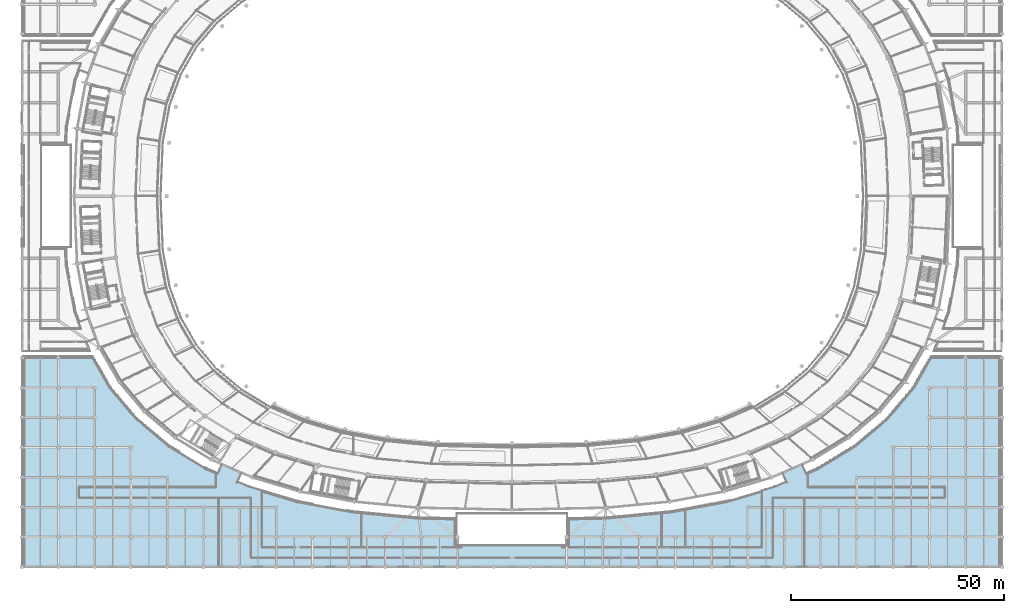
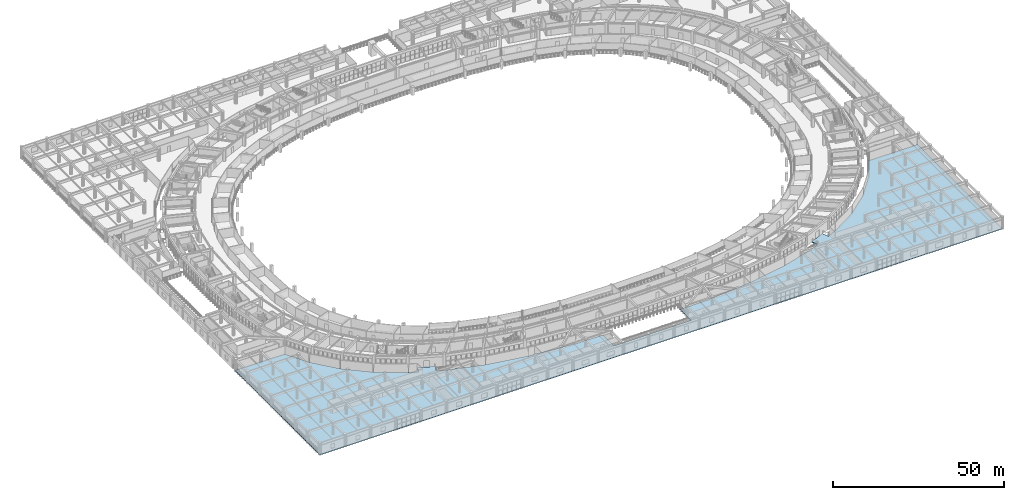
# One storey, part 75 of 141: 1 slab.
"""IFC4 building model written with IfcOpenShell, lengths in metres."""

import ifcopenshell
import ifcopenshell.guid

model = None  # the IFC model being written
_history = None  # IfcOwnerHistory: only IFC2X3 demands one
_inside = {}  # id of a spatial element -> (the spatial element, [elements in it])
_under = {}  # id of a project, library or spatial element -> (it, [spatial elements below it])
_declared = {}  # id of a project -> (the project, [libraries it declares])
_typed = {}  # id of a type object -> (the type object, [elements of that type])
_made_of = {}  # id of a material, layer set ... -> (it, [elements and type objects made of it])


def new_model(schema):
    """Start an empty IFC model of exactly this schema.

    Asked for "IFC4X3", IfcOpenShell would pick the latest addendum, in which some entities
    have other attributes; the version numbers below select the first issue.
    IFC2X3 requires an IfcOwnerHistory on every rooted entity: one is made here for all.
    """
    global model, _history
    if schema == "IFC4X3":
        model = ifcopenshell.file(schema_version=(4, 3, 0, 0))
    else:
        model = ifcopenshell.file(schema=schema)
    _inside.clear()
    _under.clear()
    _declared.clear()
    _typed.clear()
    _made_of.clear()
    _history = None
    if model.schema == "IFC2X3":
        org = make("IfcOrganization", Name="unknown")
        user = make(
            "IfcPersonAndOrganization",
            ThePerson=make("IfcPerson", FamilyName="unknown"),
            TheOrganization=org,
        )
        app = make(
            "IfcApplication",
            ApplicationDeveloper=org,
            Version="unknown",
            ApplicationFullName="unknown",
            ApplicationIdentifier="unknown",
        )
        _history = make(
            "IfcOwnerHistory",
            OwningUser=user,
            OwningApplication=app,
            ChangeAction="ADDED",
            CreationDate=0,
        )
    return model


def make(cls, **values):
    """One entity of the class cls with the attributes given. An attribute that is None is left unset."""
    return model.create_entity(
        cls, **{name: value for name, value in values.items() if value is not None}
    )


def rooted(cls, **values):
    """An entity with a GlobalId (a new one), such as an element, a storey or a relation."""
    return make(cls, GlobalId=ifcopenshell.guid.new(), OwnerHistory=_history, **values)


def si_unit(unit_type, name, prefix=None):
    """IfcSIUnit, for example si_unit("LENGTHUNIT", "METRE", prefix="MILLI")."""
    return make("IfcSIUnit", UnitType=unit_type, Prefix=prefix, Name=name)


def assignment(units):
    """IfcUnitAssignment: the units of a project."""
    return None if units is None else make("IfcUnitAssignment", Units=units)


def point(xyz):
    """IfcCartesianPoint."""
    return None if xyz is None else make("IfcCartesianPoint", Coordinates=xyz)


def direction(xyz):
    """IfcDirection."""
    return None if xyz is None else make("IfcDirection", DirectionRatios=xyz)


def frame(location, z_axis=None, x_axis=None):
    """IfcAxis2Placement3D, a coordinate frame: its origin and axes. An axis left out is left unset."""
    return make(
        "IfcAxis2Placement3D",
        Location=point(location),
        Axis=direction(z_axis),
        RefDirection=direction(x_axis),
    )


def origin():
    """The frame at (0, 0, 0) with its axes left unset."""
    return frame((0.0, 0.0, 0.0))


def place(relative_to, where):
    """IfcLocalPlacement: puts the frame where relative to a parent placement (None: the world)."""
    return make(
        "IfcLocalPlacement", PlacementRelTo=relative_to, RelativePlacement=where
    )


def context(
    kind, dimensions, precision=None, world=None, true_north=None, identifier=None
):
    """IfcGeometricRepresentationContext, for example the 3D "Model" context."""
    return make(
        "IfcGeometricRepresentationContext",
        ContextIdentifier=identifier,
        ContextType=kind,
        CoordinateSpaceDimension=dimensions,
        Precision=precision,
        WorldCoordinateSystem=world,
        TrueNorth=true_north,
    )


def subcontext(parent, identifier, kind, view, scale=None):
    """IfcGeometricRepresentationSubContext, for example "Body" below "Model"."""
    return make(
        "IfcGeometricRepresentationSubContext",
        ContextIdentifier=identifier,
        ContextType=kind,
        ParentContext=parent,
        TargetScale=scale,
        TargetView=view,
    )


def project(units=None, contexts=None):
    """IfcProject with its units and contexts."""
    return rooted(
        "IfcProject",
        Name="project",
        RepresentationContexts=contexts,
        UnitsInContext=assignment(units),
    )


def spatial(cls, under=None, at=None, **own):
    """A site, building, storey or space (cls), placed at a placement, below another one or the project."""
    s = rooted(cls, ObjectPlacement=at, **own)
    if under is not None:
        _under.setdefault(under.id(), (under, []))[1].append(s)
    return s


def polyline(points):
    """IfcPolyline through the points."""
    return make("IfcPolyline", Points=[point(p) for p in points])


def outline(outer, holes=None, kind="AREA"):
    """IfcArbitraryClosedProfileDef: a profile drawn as a closed curve; with holes, ...WithVoids."""
    if holes is None:
        return make("IfcArbitraryClosedProfileDef", ProfileType=kind, OuterCurve=outer)
    return make(
        "IfcArbitraryProfileDefWithVoids",
        ProfileType=kind,
        OuterCurve=outer,
        InnerCurves=holes,
    )


def extrude(swept, where, along, depth):
    """IfcExtrudedAreaSolid: the profile swept, set in the frame where, extruded along a direction by depth."""
    return make(
        "IfcExtrudedAreaSolid",
        SweptArea=swept,
        Position=where,
        ExtrudedDirection=direction(along),
        Depth=depth,
    )


def shape(context_of_items, identifier, shape_type, items):
    """IfcShapeRepresentation: the items that make up one representation, for example the "Body"."""
    return make(
        "IfcShapeRepresentation",
        ContextOfItems=context_of_items,
        RepresentationIdentifier=identifier,
        RepresentationType=shape_type,
        Items=items,
    )


def material(Name=None, Category=None):
    """IfcMaterial."""
    return make("IfcMaterial", Name=Name, Category=Category)


def layer(
    of_material, thickness, ventilated=None, Name=None, Category=None, Priority=None
):
    """IfcMaterialLayer: one layer of a wall or slab, of a material (None: an air gap)."""
    return make(
        "IfcMaterialLayer",
        Material=of_material,
        LayerThickness=thickness,
        IsVentilated=ventilated,
        Name=Name,
        Category=Category,
        Priority=Priority,
    )


def layer_set(layers, Name=None):
    """IfcMaterialLayerSet."""
    return make("IfcMaterialLayerSet", MaterialLayers=layers, LayerSetName=Name)


def made_of(thing, what):
    """Note that an element or type object is made of a material, layer set ...; save() writes the relation."""
    if what is not None:
        _made_of.setdefault(what.id(), (what, []))[1].append(thing)
    return thing


def type_object(cls, material=None, **own):
    """A type object (cls), such as IfcWallType, which elements share."""
    return made_of(rooted(cls, **own), material)


def element(
    cls,
    number,
    at=None,
    inside=None,
    cuts=None,
    type_object=None,
    material=None,
    context=None,
    identifier="Body",
    shape_type=None,
    held_by="IfcProductDefinitionShape",
    body=None,
    shapes=None,
    **own,
):
    """One element of the class cls, such as IfcWall. Its Tag is "e" and its number.

    at: its placement. inside: the storey or other place that contains it. cuts: it is an
    opening in that element (IfcRelVoidsElement). A single representation is given by context,
    identifier, shape_type and body (its items); several are given by shapes. held_by: the class
    of the entity that holds the representations. save() writes the other relations.
    """
    e = rooted(cls, Tag="e%d" % number, ObjectPlacement=at, **own)
    if body is not None:
        shapes = [shape(context, identifier, shape_type, body)]
    if shapes is not None:
        e.Representation = make(held_by, Representations=shapes)
    if inside is not None:
        _inside.setdefault(inside.id(), (inside, []))[1].append(e)
    if cuts is not None:
        rooted(
            "IfcRelVoidsElement", RelatingBuildingElement=cuts, RelatedOpeningElement=e
        )
    if type_object is not None:
        _typed.setdefault(type_object.id(), (type_object, []))[1].append(e)
    return made_of(e, material)


def aggregate(whole, parts):
    """IfcRelAggregates: a whole, such as a stair, and the parts it consists of."""
    return rooted("IfcRelAggregates", RelatingObject=whole, RelatedObjects=parts)


def save(model, path):
    """Write the relations noted so far, then the file.

    IfcRelAggregates (storeys below a building ...), IfcRelContainedInSpatialStructure (elements
    in a storey), IfcRelDefinesByType, IfcRelAssociatesMaterial and IfcRelDeclares: one each for
    every whole, place, type object, material and project.
    """
    for whole, parts in _under.values():
        aggregate(whole, parts)
    for where, things in _inside.values():
        rooted(
            "IfcRelContainedInSpatialStructure",
            RelatedElements=things,
            RelatingStructure=where,
        )
    for kind, things in _typed.values():
        rooted("IfcRelDefinesByType", RelatedObjects=things, RelatingType=kind)
    for what, things in _made_of.values():
        rooted("IfcRelAssociatesMaterial", RelatedObjects=things, RelatingMaterial=what)
    for by, libraries in _declared.values():
        rooted("IfcRelDeclares", RelatingContext=by, RelatedDefinitions=libraries)
    model.write(path)


model = new_model("IFC4")

# Units and contexts
model_context = context("Model", 3, precision=1e-05, world=origin(), true_north=direction((0.0, 1.0)))
body_context = subcontext(model_context, "Body", "Model", "MODEL_VIEW")
ifc_project = project(units=[si_unit("LENGTHUNIT", "METRE"), si_unit("AREAUNIT", "SQUARE_METRE"), si_unit("VOLUMEUNIT", "CUBIC_METRE"), si_unit("PLANEANGLEUNIT", "RADIAN"), si_unit("MASSUNIT", "GRAM", prefix="KILO")], contexts=[model_context])

# Site, building, storey
site_placement = place(None, origin())
site = spatial("IfcSite", under=ifc_project, at=site_placement, CompositionType="ELEMENT")
building_placement = place(site_placement, origin())
building = spatial("IfcBuilding", under=site, at=building_placement, Name="Mphavela Belvedere Stadium", CompositionType="ELEMENT")
storey_placement = place(building_placement, frame((0.0, 0.0, 14.699951171875)))
storey = spatial("IfcBuildingStorey", under=building, at=storey_placement, Name="L03", CompositionType="ELEMENT", Elevation=14.699951171875)

# Slab
ifc_material = material(Name="Concrete C40/50", Category="concrete")
ifc_layer = layer(ifc_material, 0.260009765625)
ifc_layer_set = layer_set([ifc_layer], Name="Concrete C40/50")
slab_type = type_object("IfcSlabType", Name="SLB-PAVILION-260", PredefinedType="FLOOR", material=ifc_layer_set)
slab_placement = place(storey_placement, frame((0.0, 0.0, -0.260009765625)))
element("IfcSlab", 1, at=slab_placement, inside=storey, type_object=slab_type, Name="South Axial Triumphal Peristyle Portico floor slab L03-1", PredefinedType="FLOOR", context=body_context, shape_type="SweptSolid", body=[
    extrude(outline(polyline([(16.653564453125, 49.5), (20.852783203125, 42.2373046875), (20.957763671875, 42.0732421875), (21.07666015625, 41.919189453125), (26.980712890625, 34.927001953125), (27.106201171875, 34.79052734375), (27.242919921875, 34.6650390625), (34.425537109375, 28.60400390625), (34.5595703125, 28.499755859375), (34.700927734375, 28.406005859375), (43.160400390625, 23.259521484375), (43.4287109375, 23.12060546875), (45.922607421875, 22.03955078125), (46.797607421875, 24.05810546875), (51.568603515625, 21.98974609375), (50.693603515625, 19.97119140625), (53.1875, 18.89013671875), (53.436279296875, 18.7998046875), (64.57275390625, 15.494140625), (64.7958984375, 15.440185546875), (77.5244140625, 13.06982421875), (77.718505859375, 13.04248046875), (92.676513671875, 11.6162109375), (92.837890625, 11.606689453125), (102.0, 11.409423828125), (102.0, 5.0), (128.0, 5.0), (128.0, 11.409423828125), (137.162109375, 11.606689453125), (137.323486328125, 11.6162109375), (152.281494140625, 13.04248046875), (152.4755859375, 13.06982421875), (165.2041015625, 15.440185546875), (165.42724609375, 15.494140625), (176.563720703125, 18.7998046875), (176.8125, 18.89013671875), (179.306396484375, 19.97119140625), (178.431396484375, 21.98974609375), (183.202392578125, 24.05810546875), (184.077392578125, 22.03955078125), (186.5712890625, 23.12060546875), (186.839599609375, 23.259521484375), (195.299072265625, 28.406005859375), (195.4404296875, 28.499755859375), (195.574462890625, 28.60400390625), (202.757080078125, 34.6650390625), (202.893798828125, 34.79052734375), (203.019287109375, 34.927001953125), (208.92333984375, 41.919189453125), (209.042236328125, 42.0732421875), (209.147216796875, 42.2373046875), (213.346435546875, 49.5), (230.0, 49.5), (230.0, 0.0), (0.0, 0.0), (0.0, 49.5), (16.653564453125, 49.5)])), origin(), (0.0, 0.0, 1.0), 0.260009765625),
])

save(model, "model.ifc")
